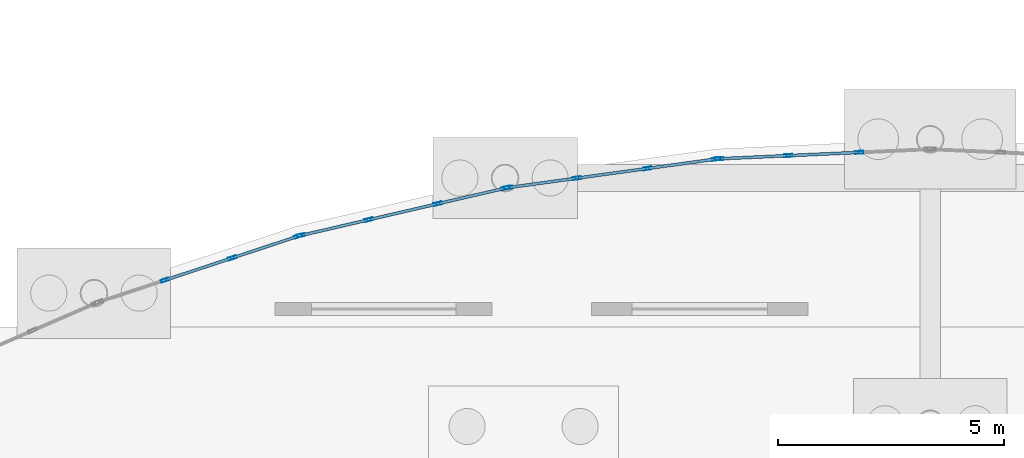
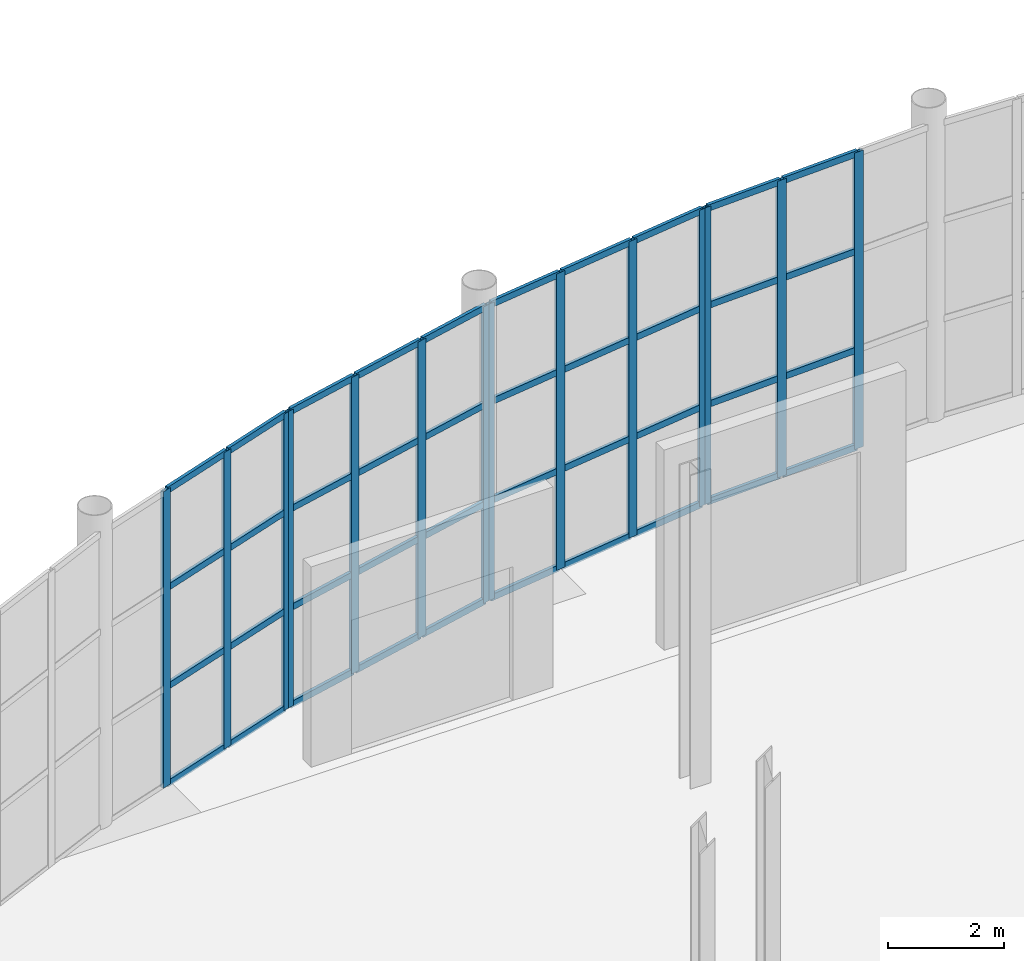
# One storey, part 60 of 115: 54 members, 4 elements without a shape of their own.
"""IFC4 building model written with IfcOpenShell, lengths in metres."""

import ifcopenshell
import ifcopenshell.guid

model = None  # the IFC model being written
_history = None  # IfcOwnerHistory: only IFC2X3 demands one
_inside = {}  # id of a spatial element -> (the spatial element, [elements in it])
_under = {}  # id of a project, library or spatial element -> (it, [spatial elements below it])
_declared = {}  # id of a project -> (the project, [libraries it declares])
_typed = {}  # id of a type object -> (the type object, [elements of that type])
_made_of = {}  # id of a material, layer set ... -> (it, [elements and type objects made of it])


def new_model(schema):
    """Start an empty IFC model of exactly this schema.

    Asked for "IFC4X3", IfcOpenShell would pick the latest addendum, in which some entities
    have other attributes; the version numbers below select the first issue.
    IFC2X3 requires an IfcOwnerHistory on every rooted entity: one is made here for all.
    """
    global model, _history
    if schema == "IFC4X3":
        model = ifcopenshell.file(schema_version=(4, 3, 0, 0))
    else:
        model = ifcopenshell.file(schema=schema)
    _inside.clear()
    _under.clear()
    _declared.clear()
    _typed.clear()
    _made_of.clear()
    _history = None
    if model.schema == "IFC2X3":
        org = make("IfcOrganization", Name="unknown")
        user = make(
            "IfcPersonAndOrganization",
            ThePerson=make("IfcPerson", FamilyName="unknown"),
            TheOrganization=org,
        )
        app = make(
            "IfcApplication",
            ApplicationDeveloper=org,
            Version="unknown",
            ApplicationFullName="unknown",
            ApplicationIdentifier="unknown",
        )
        _history = make(
            "IfcOwnerHistory",
            OwningUser=user,
            OwningApplication=app,
            ChangeAction="ADDED",
            CreationDate=0,
        )
    return model


def make(cls, **values):
    """One entity of the class cls with the attributes given. An attribute that is None is left unset."""
    return model.create_entity(
        cls, **{name: value for name, value in values.items() if value is not None}
    )


def rooted(cls, **values):
    """An entity with a GlobalId (a new one), such as an element, a storey or a relation."""
    return make(cls, GlobalId=ifcopenshell.guid.new(), OwnerHistory=_history, **values)


def si_unit(unit_type, name, prefix=None):
    """IfcSIUnit, for example si_unit("LENGTHUNIT", "METRE", prefix="MILLI")."""
    return make("IfcSIUnit", UnitType=unit_type, Prefix=prefix, Name=name)


def assignment(units):
    """IfcUnitAssignment: the units of a project."""
    return None if units is None else make("IfcUnitAssignment", Units=units)


def point(xyz):
    """IfcCartesianPoint."""
    return None if xyz is None else make("IfcCartesianPoint", Coordinates=xyz)


def direction(xyz):
    """IfcDirection."""
    return None if xyz is None else make("IfcDirection", DirectionRatios=xyz)


def frame(location, z_axis=None, x_axis=None):
    """IfcAxis2Placement3D, a coordinate frame: its origin and axes. An axis left out is left unset."""
    return make(
        "IfcAxis2Placement3D",
        Location=point(location),
        Axis=direction(z_axis),
        RefDirection=direction(x_axis),
    )


def frame_2d(location, x_axis=None):
    """IfcAxis2Placement2D, a coordinate frame in the plane: its origin and x axis."""
    return make(
        "IfcAxis2Placement2D", Location=point(location), RefDirection=direction(x_axis)
    )


def origin():
    """The frame at (0, 0, 0) with its axes left unset."""
    return frame((0.0, 0.0, 0.0))


def origin_2d():
    """The frame at (0, 0) in the plane with its x axis left unset."""
    return frame_2d((0.0, 0.0))


def place(relative_to, where):
    """IfcLocalPlacement: puts the frame where relative to a parent placement (None: the world)."""
    return make(
        "IfcLocalPlacement", PlacementRelTo=relative_to, RelativePlacement=where
    )


def context(
    kind, dimensions, precision=None, world=None, true_north=None, identifier=None
):
    """IfcGeometricRepresentationContext, for example the 3D "Model" context."""
    return make(
        "IfcGeometricRepresentationContext",
        ContextIdentifier=identifier,
        ContextType=kind,
        CoordinateSpaceDimension=dimensions,
        Precision=precision,
        WorldCoordinateSystem=world,
        TrueNorth=true_north,
    )


def subcontext(parent, identifier, kind, view, scale=None):
    """IfcGeometricRepresentationSubContext, for example "Body" below "Model"."""
    return make(
        "IfcGeometricRepresentationSubContext",
        ContextIdentifier=identifier,
        ContextType=kind,
        ParentContext=parent,
        TargetScale=scale,
        TargetView=view,
    )


def project(units=None, contexts=None):
    """IfcProject with its units and contexts."""
    return rooted(
        "IfcProject",
        Name="project",
        RepresentationContexts=contexts,
        UnitsInContext=assignment(units),
    )


def spatial(cls, under=None, at=None, **own):
    """A site, building, storey or space (cls), placed at a placement, below another one or the project."""
    s = rooted(cls, ObjectPlacement=at, **own)
    if under is not None:
        _under.setdefault(under.id(), (under, []))[1].append(s)
    return s


def profile(cls, at=None, kind="AREA", **sizes):
    """A parametric profile (cls). Its sizes go by their IFC names, for example OverallWidth=200.0."""
    return make(cls, ProfileType=kind, Position=at, **sizes)


def hollow_rectangle(**sizes):
    """IfcRectangleHollowProfileDef."""
    return profile("IfcRectangleHollowProfileDef", **sizes)


def extrude(swept, where, along, depth):
    """IfcExtrudedAreaSolid: the profile swept, set in the frame where, extruded along a direction by depth."""
    return make(
        "IfcExtrudedAreaSolid",
        SweptArea=swept,
        Position=where,
        ExtrudedDirection=direction(along),
        Depth=depth,
    )


def shape(context_of_items, identifier, shape_type, items):
    """IfcShapeRepresentation: the items that make up one representation, for example the "Body"."""
    return make(
        "IfcShapeRepresentation",
        ContextOfItems=context_of_items,
        RepresentationIdentifier=identifier,
        RepresentationType=shape_type,
        Items=items,
    )


def material(Name=None, Category=None):
    """IfcMaterial."""
    return make("IfcMaterial", Name=Name, Category=Category)


def layer(
    of_material, thickness, ventilated=None, Name=None, Category=None, Priority=None
):
    """IfcMaterialLayer: one layer of a wall or slab, of a material (None: an air gap)."""
    return make(
        "IfcMaterialLayer",
        Material=of_material,
        LayerThickness=thickness,
        IsVentilated=ventilated,
        Name=Name,
        Category=Category,
        Priority=Priority,
    )


def layer_set(layers, Name=None):
    """IfcMaterialLayerSet."""
    return make("IfcMaterialLayerSet", MaterialLayers=layers, LayerSetName=Name)


def material_profile(
    of_material, cross_section, Name=None, Category=None, Priority=None
):
    """IfcMaterialProfile: a cross section and its material."""
    return make(
        "IfcMaterialProfile",
        Name=Name,
        Material=of_material,
        Profile=cross_section,
        Priority=Priority,
        Category=Category,
    )


def profile_set(profiles, Name=None, composite=None):
    """IfcMaterialProfileSet."""
    return make(
        "IfcMaterialProfileSet",
        Name=Name,
        MaterialProfiles=profiles,
        CompositeProfile=composite,
    )


def made_of(thing, what):
    """Note that an element or type object is made of a material, layer set ...; save() writes the relation."""
    if what is not None:
        _made_of.setdefault(what.id(), (what, []))[1].append(thing)
    return thing


def type_object(cls, material=None, **own):
    """A type object (cls), such as IfcWallType, which elements share."""
    return made_of(rooted(cls, **own), material)


def element(
    cls,
    number,
    at=None,
    inside=None,
    cuts=None,
    type_object=None,
    material=None,
    context=None,
    identifier="Body",
    shape_type=None,
    held_by="IfcProductDefinitionShape",
    body=None,
    shapes=None,
    **own,
):
    """One element of the class cls, such as IfcWall. Its Tag is "e" and its number.

    at: its placement. inside: the storey or other place that contains it. cuts: it is an
    opening in that element (IfcRelVoidsElement). A single representation is given by context,
    identifier, shape_type and body (its items); several are given by shapes. held_by: the class
    of the entity that holds the representations. save() writes the other relations.
    """
    e = rooted(cls, Tag="e%d" % number, ObjectPlacement=at, **own)
    if body is not None:
        shapes = [shape(context, identifier, shape_type, body)]
    if shapes is not None:
        e.Representation = make(held_by, Representations=shapes)
    if inside is not None:
        _inside.setdefault(inside.id(), (inside, []))[1].append(e)
    if cuts is not None:
        rooted(
            "IfcRelVoidsElement", RelatingBuildingElement=cuts, RelatedOpeningElement=e
        )
    if type_object is not None:
        _typed.setdefault(type_object.id(), (type_object, []))[1].append(e)
    return made_of(e, material)


def aggregate(whole, parts):
    """IfcRelAggregates: a whole, such as a stair, and the parts it consists of."""
    return rooted("IfcRelAggregates", RelatingObject=whole, RelatedObjects=parts)


def save(model, path):
    """Write the relations noted so far, then the file.

    IfcRelAggregates (storeys below a building ...), IfcRelContainedInSpatialStructure (elements
    in a storey), IfcRelDefinesByType, IfcRelAssociatesMaterial and IfcRelDeclares: one each for
    every whole, place, type object, material and project.
    """
    for whole, parts in _under.values():
        aggregate(whole, parts)
    for where, things in _inside.values():
        rooted(
            "IfcRelContainedInSpatialStructure",
            RelatedElements=things,
            RelatingStructure=where,
        )
    for kind, things in _typed.values():
        rooted("IfcRelDefinesByType", RelatedObjects=things, RelatingType=kind)
    for what, things in _made_of.values():
        rooted("IfcRelAssociatesMaterial", RelatedObjects=things, RelatingMaterial=what)
    for by, libraries in _declared.values():
        rooted("IfcRelDeclares", RelatingContext=by, RelatedDefinitions=libraries)
    model.write(path)


model = new_model("IFC4")

# Units and contexts
model_context = context("Model", 3, precision=1e-05, world=origin(), true_north=direction((0.0, 1.0)))
body_context = subcontext(model_context, "Body", "Model", "MODEL_VIEW")
ifc_project = project(units=[si_unit("LENGTHUNIT", "METRE"), si_unit("AREAUNIT", "SQUARE_METRE"), si_unit("VOLUMEUNIT", "CUBIC_METRE"), si_unit("PLANEANGLEUNIT", "RADIAN"), si_unit("MASSUNIT", "GRAM", prefix="KILO")], contexts=[model_context])

# Site, building, storey
site_placement = place(None, origin())
site = spatial("IfcSite", under=ifc_project, at=site_placement, CompositionType="ELEMENT")
building_placement = place(site_placement, origin())
building = spatial("IfcBuilding", under=site, at=building_placement, Name="Tamarisk Ironworks Central Station", CompositionType="ELEMENT")
storey_placement = place(building_placement, origin())
storey = spatial("IfcBuildingStorey", under=building, at=storey_placement, Name="L00", CompositionType="ELEMENT", Elevation=0.0)

# Curtain wall, members
ifc_material = material(Name="Anodized aluminium alloy 6063-T6", Category="aluminium")
ifc_layer = layer(ifc_material, 0.179931640625)
ifc_layer_set = layer_set([ifc_layer], Name="Anodized aluminium alloy 6063-T6")
curtain_wall_type = type_object("IfcCurtainWallType", Name="CW-01", PredefinedType="USERDEFINED", material=ifc_layer_set)
curtain_wall_1_placement = place(storey_placement, origin())
curtain_wall_1 = element("IfcCurtainWall", 1, at=curtain_wall_1_placement, inside=storey, type_object=curtain_wall_type, Name="NN rounded entrance hall L00 curtain wall bay 03", ObjectType="GLAZED CURTAIN WALL", PredefinedType="USERDEFINED")
ifc_material_profile_1 = material_profile(ifc_material, hollow_rectangle(XDim=0.06494140625, YDim=0.179931640625, WallThickness=0.00390625, at=origin_2d()), Name="ALUM 180x65")
ifc_profile_set_1 = profile_set([ifc_material_profile_1], Name="Anodized aluminium alloy 6063-T6")
member_type_1 = type_object("IfcMemberType", Name="CWM-02", PredefinedType="MULLION", material=ifc_profile_set_1)
member_1_placement = place(storey_placement, frame((64.05908203125, 116.038818359375, 0.0), z_axis=(0.0, 0.0, 1.0), x_axis=(-0.313098460171, 0.949720671692, 0.0)))
member_1 = element("IfcMember", 2, at=member_1_placement, type_object=member_type_1, Name="CW01 mullion 2", PredefinedType="MULLION", context=body_context, shape_type="SweptSolid", body=[
    extrude(hollow_rectangle(XDim=0.06494140625, YDim=0.179931640625, WallThickness=0.00390625, at=origin_2d()), origin(), (0.0, 0.0, 1.0), 6.219970703125),
])
member_2_placement = place(storey_placement, frame((65.550048828125, 116.530517578125, 0.0), z_axis=(0.0, 0.0, 1.0), x_axis=(-0.313098460171, 0.949720671692, 0.0)))
member_2 = element("IfcMember", 3, at=member_2_placement, type_object=member_type_1, Name="CW01 mullion 3", PredefinedType="MULLION", context=body_context, shape_type="SweptSolid", body=[
    extrude(hollow_rectangle(XDim=0.06494140625, YDim=0.179931640625, WallThickness=0.00390625, at=origin_2d()), origin(), (0.0, 0.0, 1.0), 6.219970703125),
])
member_3_placement = place(storey_placement, frame((67.01025390625, 117.01171875, 0.0), z_axis=(0.0, 0.0, 1.0), x_axis=(-0.313098460171, 0.949720671692, 0.0)))
member_3 = element("IfcMember", 4, at=member_3_placement, type_object=member_type_1, Name="CW01 mullion 4", PredefinedType="MULLION", context=body_context, shape_type="SweptSolid", body=[
    extrude(hollow_rectangle(XDim=0.06494140625, YDim=0.179931640625, WallThickness=0.00390625, at=origin_2d()), origin(), (0.0, 0.0, 1.0), 6.219970703125),
])

curtain_wall_2_placement = place(storey_placement, origin())
curtain_wall_2 = element("IfcCurtainWall", 5, at=curtain_wall_2_placement, inside=storey, type_object=curtain_wall_type, Name="NN rounded entrance hall L00 curtain wall bay 04", ObjectType="GLAZED CURTAIN WALL", PredefinedType="USERDEFINED")
member_4_placement = place(storey_placement, frame((67.07275390625, 117.029296875, 0.0), z_axis=(0.0, 0.0, 1.0), x_axis=(-0.225516966506, 0.974239240545, 0.0)))
member_4 = element("IfcMember", 6, at=member_4_placement, type_object=member_type_1, Name="CW01 mullion 1", PredefinedType="MULLION", context=body_context, shape_type="SweptSolid", body=[
    extrude(hollow_rectangle(XDim=0.06494140625, YDim=0.179931640625, WallThickness=0.00390625, at=origin_2d()), origin(), (0.0, 0.0, 1.0), 6.219970703125),
])
member_5_placement = place(storey_placement, frame((68.570556640625, 117.3759765625, 0.0), z_axis=(0.0, 0.0, 1.0), x_axis=(-0.225516966506, 0.974239240545, 0.0)))
member_5 = element("IfcMember", 7, at=member_5_placement, type_object=member_type_1, Name="CW01 mullion 2", PredefinedType="MULLION", context=body_context, shape_type="SweptSolid", body=[
    extrude(hollow_rectangle(XDim=0.06494140625, YDim=0.179931640625, WallThickness=0.00390625, at=origin_2d()), origin(), (0.0, 0.0, 1.0), 6.219970703125),
])
member_6_placement = place(storey_placement, frame((70.099853515625, 117.72998046875, 0.0), z_axis=(0.0, 0.0, 1.0), x_axis=(-0.225516966506, 0.974239240545, 0.0)))
member_6 = element("IfcMember", 8, at=member_6_placement, type_object=member_type_1, Name="CW01 mullion 3", PredefinedType="MULLION", context=body_context, shape_type="SweptSolid", body=[
    extrude(hollow_rectangle(XDim=0.06494140625, YDim=0.179931640625, WallThickness=0.00390625, at=origin_2d()), origin(), (0.0, 0.0, 1.0), 6.219970703125),
])
member_7_placement = place(storey_placement, frame((71.59765625, 118.07666015625, 0.0), z_axis=(0.0, 0.0, 1.0), x_axis=(-0.225516966506, 0.974239240545, 0.0)))
member_7 = element("IfcMember", 9, at=member_7_placement, type_object=member_type_1, Name="CW01 mullion 4", PredefinedType="MULLION", context=body_context, shape_type="SweptSolid", body=[
    extrude(hollow_rectangle(XDim=0.06494140625, YDim=0.179931640625, WallThickness=0.00390625, at=origin_2d()), origin(), (0.0, 0.0, 1.0), 6.219970703125),
])

curtain_wall_3_placement = place(storey_placement, origin())
curtain_wall_3 = element("IfcCurtainWall", 10, at=curtain_wall_3_placement, inside=storey, type_object=curtain_wall_type, Name="NN rounded entrance hall L00 curtain wall bay 05", ObjectType="GLAZED CURTAIN WALL", PredefinedType="USERDEFINED")
member_8_placement = place(storey_placement, frame((71.66162109375, 118.088623046875, 0.0), z_axis=(0.0, 0.0, 1.0), x_axis=(-0.136041725218, 0.990703108403, 0.0)))
member_8 = element("IfcMember", 11, at=member_8_placement, type_object=member_type_1, Name="CW01 mullion 1", PredefinedType="MULLION", context=body_context, shape_type="SweptSolid", body=[
    extrude(hollow_rectangle(XDim=0.06494140625, YDim=0.179931640625, WallThickness=0.00390625, at=origin_2d()), origin(), (0.0, 0.0, 1.0), 6.219970703125),
])
member_9_placement = place(storey_placement, frame((73.1845703125, 118.297607421875, 0.0), z_axis=(0.0, 0.0, 1.0), x_axis=(-0.136041725218, 0.990703108403, 0.0)))
member_9 = element("IfcMember", 12, at=member_9_placement, type_object=member_type_1, Name="CW01 mullion 2", PredefinedType="MULLION", context=body_context, shape_type="SweptSolid", body=[
    extrude(hollow_rectangle(XDim=0.06494140625, YDim=0.179931640625, WallThickness=0.00390625, at=origin_2d()), origin(), (0.0, 0.0, 1.0), 6.219970703125),
])
member_10_placement = place(storey_placement, frame((74.739990234375, 118.51123046875, 0.0), z_axis=(0.0, 0.0, 1.0), x_axis=(-0.136041725218, 0.990703108403, 0.0)))
member_10 = element("IfcMember", 13, at=member_10_placement, type_object=member_type_1, Name="CW01 mullion 3", PredefinedType="MULLION", context=body_context, shape_type="SweptSolid", body=[
    extrude(hollow_rectangle(XDim=0.06494140625, YDim=0.179931640625, WallThickness=0.00390625, at=origin_2d()), origin(), (0.0, 0.0, 1.0), 6.219970703125),
])
member_11_placement = place(storey_placement, frame((76.262939453125, 118.720458984375, 0.0), z_axis=(0.0, 0.0, 1.0), x_axis=(-0.136041725218, 0.990703108403, 0.0)))
member_11 = element("IfcMember", 14, at=member_11_placement, type_object=member_type_1, Name="CW01 mullion 4", PredefinedType="MULLION", context=body_context, shape_type="SweptSolid", body=[
    extrude(hollow_rectangle(XDim=0.06494140625, YDim=0.179931640625, WallThickness=0.00390625, at=origin_2d()), origin(), (0.0, 0.0, 1.0), 6.219970703125),
])

curtain_wall_4_placement = place(storey_placement, origin())
curtain_wall_4 = element("IfcCurtainWall", 15, at=curtain_wall_4_placement, inside=storey, type_object=curtain_wall_type, Name="NN rounded entrance hall L00 curtain wall bay 06", ObjectType="GLAZED CURTAIN WALL", PredefinedType="USERDEFINED")
member_12_placement = place(storey_placement, frame((76.32763671875, 118.726318359375, 0.0), z_axis=(0.0, 0.0, 1.0), x_axis=(-0.045480859558, 0.998965210312, 0.0)))
member_12 = element("IfcMember", 16, at=member_12_placement, type_object=member_type_1, Name="CW01 mullion 1", PredefinedType="MULLION", context=body_context, shape_type="SweptSolid", body=[
    extrude(hollow_rectangle(XDim=0.06494140625, YDim=0.179931640625, WallThickness=0.00390625, at=origin_2d()), origin(), (0.0, 0.0, 1.0), 6.219970703125),
])
member_13_placement = place(storey_placement, frame((77.863525390625, 118.796142578125, 0.0), z_axis=(0.0, 0.0, 1.0), x_axis=(-0.045480859558, 0.998965210312, 0.0)))
member_13 = element("IfcMember", 17, at=member_13_placement, type_object=member_type_1, Name="CW01 mullion 2", PredefinedType="MULLION", context=body_context, shape_type="SweptSolid", body=[
    extrude(hollow_rectangle(XDim=0.06494140625, YDim=0.179931640625, WallThickness=0.00390625, at=origin_2d()), origin(), (0.0, 0.0, 1.0), 6.219970703125),
])
member_14_placement = place(storey_placement, frame((79.431640625, 118.86767578125, 0.0), z_axis=(0.0, 0.0, 1.0), x_axis=(-0.045480859558, 0.998965210312, 0.0)))
member_14 = element("IfcMember", 18, at=member_14_placement, type_object=member_type_1, Name="CW01 mullion 3", PredefinedType="MULLION", context=body_context, shape_type="SweptSolid", body=[
    extrude(hollow_rectangle(XDim=0.06494140625, YDim=0.179931640625, WallThickness=0.00390625, at=origin_2d()), origin(), (0.0, 0.0, 1.0), 6.219970703125),
])

# Member
ifc_material_profile_2 = material_profile(ifc_material, hollow_rectangle(XDim=0.06494140625, YDim=0.135009765625, WallThickness=0.00341796875, at=origin_2d()), Name="ALUM 135x65")
ifc_profile_set_2 = profile_set([ifc_material_profile_2], Name="Anodized aluminium alloy 6063-T6")
member_type_2 = type_object("IfcMemberType", Name="CWT-02", PredefinedType="USERDEFINED", material=ifc_profile_set_2)
member_15_placement = place(storey_placement, frame((64.086181640625, 116.0478515625, 0.032470703125), z_axis=(0.949727054968, 0.313079097135, 0.0), x_axis=(-0.313079097135, 0.949727054968, 0.0)))
member_15 = element("IfcMember", 19, at=member_15_placement, type_object=member_type_2, Name="CW01 transom 2.1", ObjectType="TRANSOM", PredefinedType="USERDEFINED", context=body_context, shape_type="SweptSolid", body=[
    extrude(hollow_rectangle(XDim=0.06494140625, YDim=0.135009765625, WallThickness=0.00341796875, at=origin_2d()), origin(), (0.0, 0.0, 1.0), 1.512939453125),
])

member_16_placement = place(storey_placement, frame((64.086181640625, 116.0478515625, 2.0732421875), z_axis=(0.949727054968, 0.313079097135, 0.0), x_axis=(-0.313079097135, 0.949727054968, 0.0)))
member_16 = element("IfcMember", 20, at=member_16_placement, type_object=member_type_2, Name="CW01 transom 2.2", ObjectType="TRANSOM", PredefinedType="USERDEFINED", context=body_context, shape_type="SweptSolid", body=[
    extrude(hollow_rectangle(XDim=0.06494140625, YDim=0.135009765625, WallThickness=0.00341796875, at=origin_2d()), origin(), (0.0, 0.0, 1.0), 1.512939453125),
])

member_17_placement = place(storey_placement, frame((64.086181640625, 116.0478515625, 4.146728515625), z_axis=(0.949727054968, 0.313079097135, 0.0), x_axis=(-0.313079097135, 0.949727054968, 0.0)))
member_17 = element("IfcMember", 21, at=member_17_placement, type_object=member_type_2, Name="CW01 transom 2.3", ObjectType="TRANSOM", PredefinedType="USERDEFINED", context=body_context, shape_type="SweptSolid", body=[
    extrude(hollow_rectangle(XDim=0.06494140625, YDim=0.135009765625, WallThickness=0.00341796875, at=origin_2d()), origin(), (0.0, 0.0, 1.0), 1.512939453125),
])

member_18_placement = place(storey_placement, frame((64.086181640625, 116.0478515625, 6.1875), z_axis=(0.949727054968, 0.313079097135, 0.0), x_axis=(-0.313079097135, 0.949727054968, 0.0)))
member_18 = element("IfcMember", 22, at=member_18_placement, type_object=member_type_2, Name="CW01 transom 2.4", ObjectType="TRANSOM", PredefinedType="USERDEFINED", context=body_context, shape_type="SweptSolid", body=[
    extrude(hollow_rectangle(XDim=0.06494140625, YDim=0.135009765625, WallThickness=0.00341796875, at=origin_2d()), origin(), (0.0, 0.0, 1.0), 1.512939453125),
])

member_19_placement = place(storey_placement, frame((65.5771484375, 116.539306640625, 0.032470703125), z_axis=(0.94970076435, 0.3131588386, 0.0), x_axis=(-0.3131588386, 0.94970076435, 0.0)))
member_19 = element("IfcMember", 23, at=member_19_placement, type_object=member_type_2, Name="CW01 transom 3.1", ObjectType="TRANSOM", PredefinedType="USERDEFINED", context=body_context, shape_type="SweptSolid", body=[
    extrude(hollow_rectangle(XDim=0.06494140625, YDim=0.135009765625, WallThickness=0.00341796875, at=origin_2d()), origin(), (0.0, 0.0, 1.0), 1.48046875),
])

member_20_placement = place(storey_placement, frame((65.5771484375, 116.539306640625, 2.0732421875), z_axis=(0.94970076435, 0.3131588386, 0.0), x_axis=(-0.3131588386, 0.94970076435, 0.0)))
member_20 = element("IfcMember", 24, at=member_20_placement, type_object=member_type_2, Name="CW01 transom 3.2", ObjectType="TRANSOM", PredefinedType="USERDEFINED", context=body_context, shape_type="SweptSolid", body=[
    extrude(hollow_rectangle(XDim=0.06494140625, YDim=0.135009765625, WallThickness=0.00341796875, at=origin_2d()), origin(), (0.0, 0.0, 1.0), 1.48046875),
])

member_21_placement = place(storey_placement, frame((65.5771484375, 116.539306640625, 4.146728515625), z_axis=(0.94970076435, 0.3131588386, 0.0), x_axis=(-0.3131588386, 0.94970076435, 0.0)))
member_21 = element("IfcMember", 25, at=member_21_placement, type_object=member_type_2, Name="CW01 transom 3.3", ObjectType="TRANSOM", PredefinedType="USERDEFINED", context=body_context, shape_type="SweptSolid", body=[
    extrude(hollow_rectangle(XDim=0.06494140625, YDim=0.135009765625, WallThickness=0.00341796875, at=origin_2d()), origin(), (0.0, 0.0, 1.0), 1.48046875),
])

member_22_placement = place(storey_placement, frame((65.5771484375, 116.539306640625, 6.1875), z_axis=(0.94970076435, 0.3131588386, 0.0), x_axis=(-0.3131588386, 0.94970076435, 0.0)))
member_22 = element("IfcMember", 26, at=member_22_placement, type_object=member_type_2, Name="CW01 transom 3.4", ObjectType="TRANSOM", PredefinedType="USERDEFINED", context=body_context, shape_type="SweptSolid", body=[
    extrude(hollow_rectangle(XDim=0.06494140625, YDim=0.135009765625, WallThickness=0.00341796875, at=origin_2d()), origin(), (0.0, 0.0, 1.0), 1.48046875),
])

aggregate(curtain_wall_1, [member_1, member_2, member_3, member_15, member_16, member_17, member_18, member_19, member_20, member_21, member_22])

member_23_placement = place(storey_placement, frame((67.1005859375, 117.03564453125, 0.032470703125), z_axis=(0.974215782527, 0.225618281784, 0.0), x_axis=(-0.225618281784, 0.974215782527, 0.0)))
member_23 = element("IfcMember", 27, at=member_23_placement, type_object=member_type_2, Name="CW01 transom 1.1", ObjectType="TRANSOM", PredefinedType="USERDEFINED", context=body_context, shape_type="SweptSolid", body=[
    extrude(hollow_rectangle(XDim=0.06494140625, YDim=0.135009765625, WallThickness=0.00341796875, at=origin_2d()), origin(), (0.0, 0.0, 1.0), 1.480224609375),
])

member_24_placement = place(storey_placement, frame((67.1005859375, 117.03564453125, 2.0732421875), z_axis=(0.974215782527, 0.225618281784, 0.0), x_axis=(-0.225618281784, 0.974215782527, 0.0)))
member_24 = element("IfcMember", 28, at=member_24_placement, type_object=member_type_2, Name="CW01 transom 1.2", ObjectType="TRANSOM", PredefinedType="USERDEFINED", context=body_context, shape_type="SweptSolid", body=[
    extrude(hollow_rectangle(XDim=0.06494140625, YDim=0.135009765625, WallThickness=0.00341796875, at=origin_2d()), origin(), (0.0, 0.0, 1.0), 1.480224609375),
])

member_25_placement = place(storey_placement, frame((67.1005859375, 117.03564453125, 4.146728515625), z_axis=(0.974215782527, 0.225618281784, 0.0), x_axis=(-0.225618281784, 0.974215782527, 0.0)))
member_25 = element("IfcMember", 29, at=member_25_placement, type_object=member_type_2, Name="CW01 transom 1.3", ObjectType="TRANSOM", PredefinedType="USERDEFINED", context=body_context, shape_type="SweptSolid", body=[
    extrude(hollow_rectangle(XDim=0.06494140625, YDim=0.135009765625, WallThickness=0.00341796875, at=origin_2d()), origin(), (0.0, 0.0, 1.0), 1.480224609375),
])

member_26_placement = place(storey_placement, frame((67.1005859375, 117.03564453125, 6.1875), z_axis=(0.974215782527, 0.225618281784, 0.0), x_axis=(-0.225618281784, 0.974215782527, 0.0)))
member_26 = element("IfcMember", 30, at=member_26_placement, type_object=member_type_2, Name="CW01 transom 1.4", ObjectType="TRANSOM", PredefinedType="USERDEFINED", context=body_context, shape_type="SweptSolid", body=[
    extrude(hollow_rectangle(XDim=0.06494140625, YDim=0.135009765625, WallThickness=0.00341796875, at=origin_2d()), origin(), (0.0, 0.0, 1.0), 1.480224609375),
])

member_27_placement = place(storey_placement, frame((68.598388671875, 117.382568359375, 0.032470703125), z_axis=(0.974255022552, 0.22544877696, 0.0), x_axis=(-0.22544877696, 0.974255022552, 0.0)))
member_27 = element("IfcMember", 31, at=member_27_placement, type_object=member_type_2, Name="CW01 transom 2.1", ObjectType="TRANSOM", PredefinedType="USERDEFINED", context=body_context, shape_type="SweptSolid", body=[
    extrude(hollow_rectangle(XDim=0.06494140625, YDim=0.135009765625, WallThickness=0.00341796875, at=origin_2d()), origin(), (0.0, 0.0, 1.0), 1.512939453125),
])

member_28_placement = place(storey_placement, frame((68.598388671875, 117.382568359375, 2.0732421875), z_axis=(0.974255022552, 0.22544877696, 0.0), x_axis=(-0.22544877696, 0.974255022552, 0.0)))
member_28 = element("IfcMember", 32, at=member_28_placement, type_object=member_type_2, Name="CW01 transom 2.2", ObjectType="TRANSOM", PredefinedType="USERDEFINED", context=body_context, shape_type="SweptSolid", body=[
    extrude(hollow_rectangle(XDim=0.06494140625, YDim=0.135009765625, WallThickness=0.00341796875, at=origin_2d()), origin(), (0.0, 0.0, 1.0), 1.512939453125),
])

member_29_placement = place(storey_placement, frame((68.598388671875, 117.382568359375, 4.146728515625), z_axis=(0.974255022552, 0.22544877696, 0.0), x_axis=(-0.22544877696, 0.974255022552, 0.0)))
member_29 = element("IfcMember", 33, at=member_29_placement, type_object=member_type_2, Name="CW01 transom 2.3", ObjectType="TRANSOM", PredefinedType="USERDEFINED", context=body_context, shape_type="SweptSolid", body=[
    extrude(hollow_rectangle(XDim=0.06494140625, YDim=0.135009765625, WallThickness=0.00341796875, at=origin_2d()), origin(), (0.0, 0.0, 1.0), 1.512939453125),
])

member_30_placement = place(storey_placement, frame((68.598388671875, 117.382568359375, 6.1875), z_axis=(0.974255022552, 0.22544877696, 0.0), x_axis=(-0.22544877696, 0.974255022552, 0.0)))
member_30 = element("IfcMember", 34, at=member_30_placement, type_object=member_type_2, Name="CW01 transom 2.4", ObjectType="TRANSOM", PredefinedType="USERDEFINED", context=body_context, shape_type="SweptSolid", body=[
    extrude(hollow_rectangle(XDim=0.06494140625, YDim=0.135009765625, WallThickness=0.00341796875, at=origin_2d()), origin(), (0.0, 0.0, 1.0), 1.512939453125),
])

member_31_placement = place(storey_placement, frame((70.127685546875, 117.736572265625, 0.032470703125), z_axis=(0.97426040406, 0.225425520032, 0.0), x_axis=(-0.225425520032, 0.97426040406, 0.0)))
member_31 = element("IfcMember", 35, at=member_31_placement, type_object=member_type_2, Name="CW01 transom 3.1", ObjectType="TRANSOM", PredefinedType="USERDEFINED", context=body_context, shape_type="SweptSolid", body=[
    extrude(hollow_rectangle(XDim=0.06494140625, YDim=0.135009765625, WallThickness=0.00341796875, at=origin_2d()), origin(), (0.0, 0.0, 1.0), 1.48046875),
])

member_32_placement = place(storey_placement, frame((70.127685546875, 117.736572265625, 2.0732421875), z_axis=(0.97426040406, 0.225425520032, 0.0), x_axis=(-0.225425520032, 0.97426040406, 0.0)))
member_32 = element("IfcMember", 36, at=member_32_placement, type_object=member_type_2, Name="CW01 transom 3.2", ObjectType="TRANSOM", PredefinedType="USERDEFINED", context=body_context, shape_type="SweptSolid", body=[
    extrude(hollow_rectangle(XDim=0.06494140625, YDim=0.135009765625, WallThickness=0.00341796875, at=origin_2d()), origin(), (0.0, 0.0, 1.0), 1.48046875),
])

member_33_placement = place(storey_placement, frame((70.127685546875, 117.736572265625, 4.146728515625), z_axis=(0.97426040406, 0.225425520032, 0.0), x_axis=(-0.225425520032, 0.97426040406, 0.0)))
member_33 = element("IfcMember", 37, at=member_33_placement, type_object=member_type_2, Name="CW01 transom 3.3", ObjectType="TRANSOM", PredefinedType="USERDEFINED", context=body_context, shape_type="SweptSolid", body=[
    extrude(hollow_rectangle(XDim=0.06494140625, YDim=0.135009765625, WallThickness=0.00341796875, at=origin_2d()), origin(), (0.0, 0.0, 1.0), 1.48046875),
])

member_34_placement = place(storey_placement, frame((70.127685546875, 117.736572265625, 6.1875), z_axis=(0.97426040406, 0.225425520032, 0.0), x_axis=(-0.225425520032, 0.97426040406, 0.0)))
member_34 = element("IfcMember", 38, at=member_34_placement, type_object=member_type_2, Name="CW01 transom 3.4", ObjectType="TRANSOM", PredefinedType="USERDEFINED", context=body_context, shape_type="SweptSolid", body=[
    extrude(hollow_rectangle(XDim=0.06494140625, YDim=0.135009765625, WallThickness=0.00341796875, at=origin_2d()), origin(), (0.0, 0.0, 1.0), 1.48046875),
])

aggregate(curtain_wall_2, [member_4, member_5, member_6, member_7, member_23, member_24, member_25, member_26, member_27, member_28, member_29, member_30, member_31, member_32, member_33, member_34])

member_35_placement = place(storey_placement, frame((71.68994140625, 118.09228515625, 0.032470703125), z_axis=(0.990700249291, 0.136062544642, 0.0), x_axis=(-0.136062544642, 0.990700249291, 0.0)))
member_35 = element("IfcMember", 39, at=member_35_placement, type_object=member_type_2, Name="CW01 transom 1.1", ObjectType="TRANSOM", PredefinedType="USERDEFINED", context=body_context, shape_type="SweptSolid", body=[
    extrude(hollow_rectangle(XDim=0.06494140625, YDim=0.135009765625, WallThickness=0.00341796875, at=origin_2d()), origin(), (0.0, 0.0, 1.0), 1.480224609375),
])

member_36_placement = place(storey_placement, frame((71.68994140625, 118.09228515625, 2.0732421875), z_axis=(0.990700249291, 0.136062544642, 0.0), x_axis=(-0.136062544642, 0.990700249291, 0.0)))
member_36 = element("IfcMember", 40, at=member_36_placement, type_object=member_type_2, Name="CW01 transom 1.2", ObjectType="TRANSOM", PredefinedType="USERDEFINED", context=body_context, shape_type="SweptSolid", body=[
    extrude(hollow_rectangle(XDim=0.06494140625, YDim=0.135009765625, WallThickness=0.00341796875, at=origin_2d()), origin(), (0.0, 0.0, 1.0), 1.480224609375),
])

member_37_placement = place(storey_placement, frame((71.68994140625, 118.09228515625, 4.146728515625), z_axis=(0.990700249291, 0.136062544642, 0.0), x_axis=(-0.136062544642, 0.990700249291, 0.0)))
member_37 = element("IfcMember", 41, at=member_37_placement, type_object=member_type_2, Name="CW01 transom 1.3", ObjectType="TRANSOM", PredefinedType="USERDEFINED", context=body_context, shape_type="SweptSolid", body=[
    extrude(hollow_rectangle(XDim=0.06494140625, YDim=0.135009765625, WallThickness=0.00341796875, at=origin_2d()), origin(), (0.0, 0.0, 1.0), 1.480224609375),
])

member_38_placement = place(storey_placement, frame((71.68994140625, 118.09228515625, 6.1875), z_axis=(0.990700249291, 0.136062544642, 0.0), x_axis=(-0.136062544642, 0.990700249291, 0.0)))
member_38 = element("IfcMember", 42, at=member_38_placement, type_object=member_type_2, Name="CW01 transom 1.4", ObjectType="TRANSOM", PredefinedType="USERDEFINED", context=body_context, shape_type="SweptSolid", body=[
    extrude(hollow_rectangle(XDim=0.06494140625, YDim=0.135009765625, WallThickness=0.00341796875, at=origin_2d()), origin(), (0.0, 0.0, 1.0), 1.480224609375),
])

member_39_placement = place(storey_placement, frame((73.212890625, 118.301513671875, 0.032470703125), z_axis=(0.990703051997, 0.136042135988, 0.0), x_axis=(-0.136042135988, 0.990703051997, 0.0)))
member_39 = element("IfcMember", 43, at=member_39_placement, type_object=member_type_2, Name="CW01 transom 2.1", ObjectType="TRANSOM", PredefinedType="USERDEFINED", context=body_context, shape_type="SweptSolid", body=[
    extrude(hollow_rectangle(XDim=0.06494140625, YDim=0.135009765625, WallThickness=0.00341796875, at=origin_2d()), origin(), (0.0, 0.0, 1.0), 1.512939453125),
])

member_40_placement = place(storey_placement, frame((73.212890625, 118.301513671875, 2.0732421875), z_axis=(0.990703051997, 0.136042135988, 0.0), x_axis=(-0.136042135988, 0.990703051997, 0.0)))
member_40 = element("IfcMember", 44, at=member_40_placement, type_object=member_type_2, Name="CW01 transom 2.2", ObjectType="TRANSOM", PredefinedType="USERDEFINED", context=body_context, shape_type="SweptSolid", body=[
    extrude(hollow_rectangle(XDim=0.06494140625, YDim=0.135009765625, WallThickness=0.00341796875, at=origin_2d()), origin(), (0.0, 0.0, 1.0), 1.512939453125),
])

member_41_placement = place(storey_placement, frame((73.212890625, 118.301513671875, 4.146728515625), z_axis=(0.990703051997, 0.136042135988, 0.0), x_axis=(-0.136042135988, 0.990703051997, 0.0)))
member_41 = element("IfcMember", 45, at=member_41_placement, type_object=member_type_2, Name="CW01 transom 2.3", ObjectType="TRANSOM", PredefinedType="USERDEFINED", context=body_context, shape_type="SweptSolid", body=[
    extrude(hollow_rectangle(XDim=0.06494140625, YDim=0.135009765625, WallThickness=0.00341796875, at=origin_2d()), origin(), (0.0, 0.0, 1.0), 1.512939453125),
])

member_42_placement = place(storey_placement, frame((73.212890625, 118.301513671875, 6.1875), z_axis=(0.990703051997, 0.136042135988, 0.0), x_axis=(-0.136042135988, 0.990703051997, 0.0)))
member_42 = element("IfcMember", 46, at=member_42_placement, type_object=member_type_2, Name="CW01 transom 2.4", ObjectType="TRANSOM", PredefinedType="USERDEFINED", context=body_context, shape_type="SweptSolid", body=[
    extrude(hollow_rectangle(XDim=0.06494140625, YDim=0.135009765625, WallThickness=0.00341796875, at=origin_2d()), origin(), (0.0, 0.0, 1.0), 1.512939453125),
])

member_43_placement = place(storey_placement, frame((74.76806640625, 118.51513671875, 0.032470703125), z_axis=(0.990703301789, 0.136040316907, 0.0), x_axis=(-0.136040316907, 0.990703301789, 0.0)))
member_43 = element("IfcMember", 47, at=member_43_placement, type_object=member_type_2, Name="CW01 transom 3.1", ObjectType="TRANSOM", PredefinedType="USERDEFINED", context=body_context, shape_type="SweptSolid", body=[
    extrude(hollow_rectangle(XDim=0.06494140625, YDim=0.135009765625, WallThickness=0.00341796875, at=origin_2d()), origin(), (0.0, 0.0, 1.0), 1.48046875),
])

member_44_placement = place(storey_placement, frame((74.76806640625, 118.51513671875, 2.0732421875), z_axis=(0.990703301789, 0.136040316907, 0.0), x_axis=(-0.136040316907, 0.990703301789, 0.0)))
member_44 = element("IfcMember", 48, at=member_44_placement, type_object=member_type_2, Name="CW01 transom 3.2", ObjectType="TRANSOM", PredefinedType="USERDEFINED", context=body_context, shape_type="SweptSolid", body=[
    extrude(hollow_rectangle(XDim=0.06494140625, YDim=0.135009765625, WallThickness=0.00341796875, at=origin_2d()), origin(), (0.0, 0.0, 1.0), 1.48046875),
])

member_45_placement = place(storey_placement, frame((74.76806640625, 118.51513671875, 4.146728515625), z_axis=(0.990703301789, 0.136040316907, 0.0), x_axis=(-0.136040316907, 0.990703301789, 0.0)))
member_45 = element("IfcMember", 49, at=member_45_placement, type_object=member_type_2, Name="CW01 transom 3.3", ObjectType="TRANSOM", PredefinedType="USERDEFINED", context=body_context, shape_type="SweptSolid", body=[
    extrude(hollow_rectangle(XDim=0.06494140625, YDim=0.135009765625, WallThickness=0.00341796875, at=origin_2d()), origin(), (0.0, 0.0, 1.0), 1.48046875),
])

member_46_placement = place(storey_placement, frame((74.76806640625, 118.51513671875, 6.1875), z_axis=(0.990703301789, 0.136040316907, 0.0), x_axis=(-0.136040316907, 0.990703301789, 0.0)))
member_46 = element("IfcMember", 50, at=member_46_placement, type_object=member_type_2, Name="CW01 transom 3.4", ObjectType="TRANSOM", PredefinedType="USERDEFINED", context=body_context, shape_type="SweptSolid", body=[
    extrude(hollow_rectangle(XDim=0.06494140625, YDim=0.135009765625, WallThickness=0.00341796875, at=origin_2d()), origin(), (0.0, 0.0, 1.0), 1.48046875),
])

aggregate(curtain_wall_3, [member_8, member_9, member_10, member_11, member_35, member_36, member_37, member_38, member_39, member_40, member_41, member_42, member_43, member_44, member_45, member_46])

member_47_placement = place(storey_placement, frame((76.356201171875, 118.7275390625, 0.032470703125), z_axis=(0.998963433069, 0.04551987907, 0.0), x_axis=(-0.04551987907, 0.998963433069, 0.0)))
member_47 = element("IfcMember", 51, at=member_47_placement, type_object=member_type_2, Name="CW01 transom 1.1", ObjectType="TRANSOM", PredefinedType="USERDEFINED", context=body_context, shape_type="SweptSolid", body=[
    extrude(hollow_rectangle(XDim=0.06494140625, YDim=0.135009765625, WallThickness=0.00341796875, at=origin_2d()), origin(), (0.0, 0.0, 1.0), 1.480224609375),
])

member_48_placement = place(storey_placement, frame((76.356201171875, 118.7275390625, 2.0732421875), z_axis=(0.998963433069, 0.04551987907, 0.0), x_axis=(-0.04551987907, 0.998963433069, 0.0)))
member_48 = element("IfcMember", 52, at=member_48_placement, type_object=member_type_2, Name="CW01 transom 1.2", ObjectType="TRANSOM", PredefinedType="USERDEFINED", context=body_context, shape_type="SweptSolid", body=[
    extrude(hollow_rectangle(XDim=0.06494140625, YDim=0.135009765625, WallThickness=0.00341796875, at=origin_2d()), origin(), (0.0, 0.0, 1.0), 1.480224609375),
])

member_49_placement = place(storey_placement, frame((76.356201171875, 118.7275390625, 4.146728515625), z_axis=(0.998963433069, 0.04551987907, 0.0), x_axis=(-0.04551987907, 0.998963433069, 0.0)))
member_49 = element("IfcMember", 53, at=member_49_placement, type_object=member_type_2, Name="CW01 transom 1.3", ObjectType="TRANSOM", PredefinedType="USERDEFINED", context=body_context, shape_type="SweptSolid", body=[
    extrude(hollow_rectangle(XDim=0.06494140625, YDim=0.135009765625, WallThickness=0.00341796875, at=origin_2d()), origin(), (0.0, 0.0, 1.0), 1.480224609375),
])

member_50_placement = place(storey_placement, frame((76.356201171875, 118.7275390625, 6.1875), z_axis=(0.998963433069, 0.04551987907, 0.0), x_axis=(-0.04551987907, 0.998963433069, 0.0)))
member_50 = element("IfcMember", 54, at=member_50_placement, type_object=member_type_2, Name="CW01 transom 1.4", ObjectType="TRANSOM", PredefinedType="USERDEFINED", context=body_context, shape_type="SweptSolid", body=[
    extrude(hollow_rectangle(XDim=0.06494140625, YDim=0.135009765625, WallThickness=0.00341796875, at=origin_2d()), origin(), (0.0, 0.0, 1.0), 1.480224609375),
])

member_51_placement = place(storey_placement, frame((77.891845703125, 118.797607421875, 0.032470703125), z_axis=(0.998971532323, 0.045341786558, 0.0), x_axis=(-0.045341786558, 0.998971532323, 0.0)))
member_51 = element("IfcMember", 55, at=member_51_placement, type_object=member_type_2, Name="CW01 transom 2.1", ObjectType="TRANSOM", PredefinedType="USERDEFINED", context=body_context, shape_type="SweptSolid", body=[
    extrude(hollow_rectangle(XDim=0.06494140625, YDim=0.135009765625, WallThickness=0.00341796875, at=origin_2d()), origin(), (0.0, 0.0, 1.0), 1.512939453125),
])

member_52_placement = place(storey_placement, frame((77.891845703125, 118.797607421875, 2.0732421875), z_axis=(0.998971532323, 0.045341786558, 0.0), x_axis=(-0.045341786558, 0.998971532323, 0.0)))
member_52 = element("IfcMember", 56, at=member_52_placement, type_object=member_type_2, Name="CW01 transom 2.2", ObjectType="TRANSOM", PredefinedType="USERDEFINED", context=body_context, shape_type="SweptSolid", body=[
    extrude(hollow_rectangle(XDim=0.06494140625, YDim=0.135009765625, WallThickness=0.00341796875, at=origin_2d()), origin(), (0.0, 0.0, 1.0), 1.512939453125),
])

member_53_placement = place(storey_placement, frame((77.891845703125, 118.797607421875, 4.146728515625), z_axis=(0.998971532323, 0.045341786558, 0.0), x_axis=(-0.045341786558, 0.998971532323, 0.0)))
member_53 = element("IfcMember", 57, at=member_53_placement, type_object=member_type_2, Name="CW01 transom 2.3", ObjectType="TRANSOM", PredefinedType="USERDEFINED", context=body_context, shape_type="SweptSolid", body=[
    extrude(hollow_rectangle(XDim=0.06494140625, YDim=0.135009765625, WallThickness=0.00341796875, at=origin_2d()), origin(), (0.0, 0.0, 1.0), 1.512939453125),
])

member_54_placement = place(storey_placement, frame((77.891845703125, 118.797607421875, 6.1875), z_axis=(0.998971532323, 0.045341786558, 0.0), x_axis=(-0.045341786558, 0.998971532323, 0.0)))
member_54 = element("IfcMember", 58, at=member_54_placement, type_object=member_type_2, Name="CW01 transom 2.4", ObjectType="TRANSOM", PredefinedType="USERDEFINED", context=body_context, shape_type="SweptSolid", body=[
    extrude(hollow_rectangle(XDim=0.06494140625, YDim=0.135009765625, WallThickness=0.00341796875, at=origin_2d()), origin(), (0.0, 0.0, 1.0), 1.512939453125),
])

aggregate(curtain_wall_4, [member_12, member_13, member_14, member_47, member_48, member_49, member_50, member_51, member_52, member_53, member_54])

save(model, "model.ifc")
